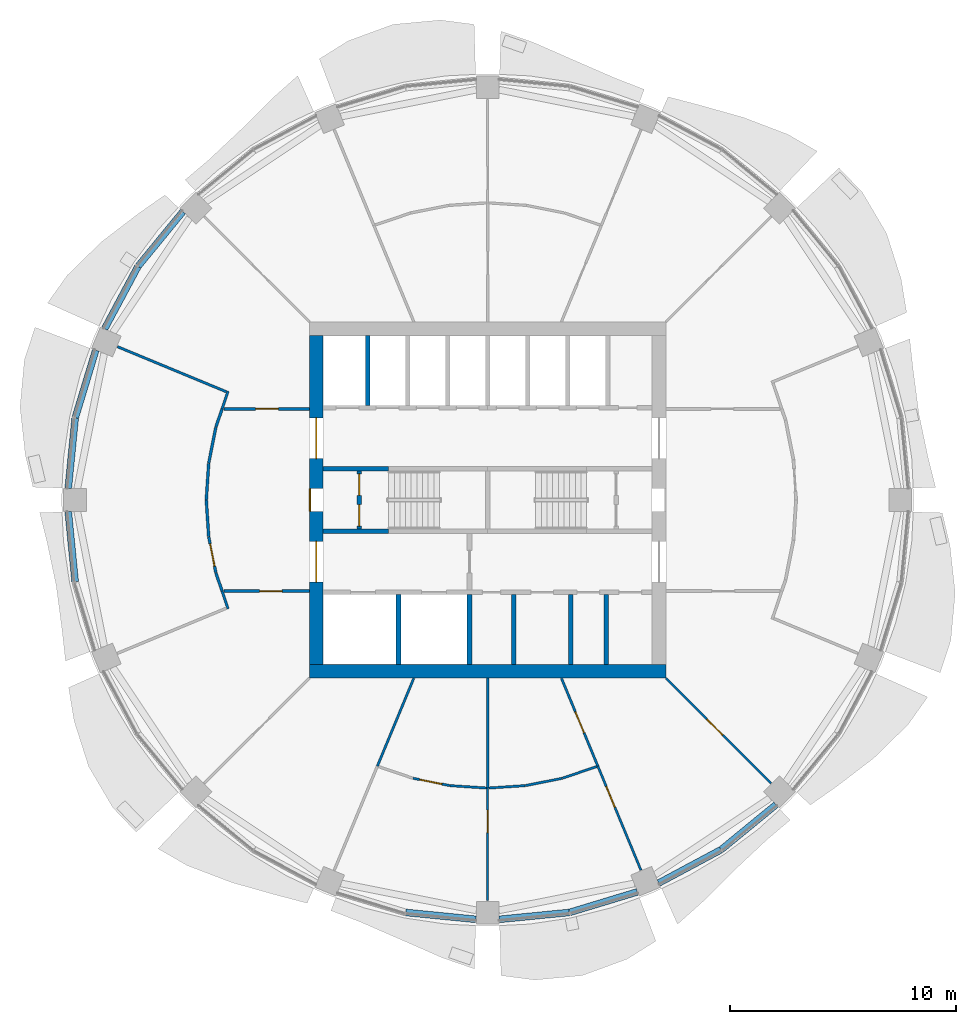
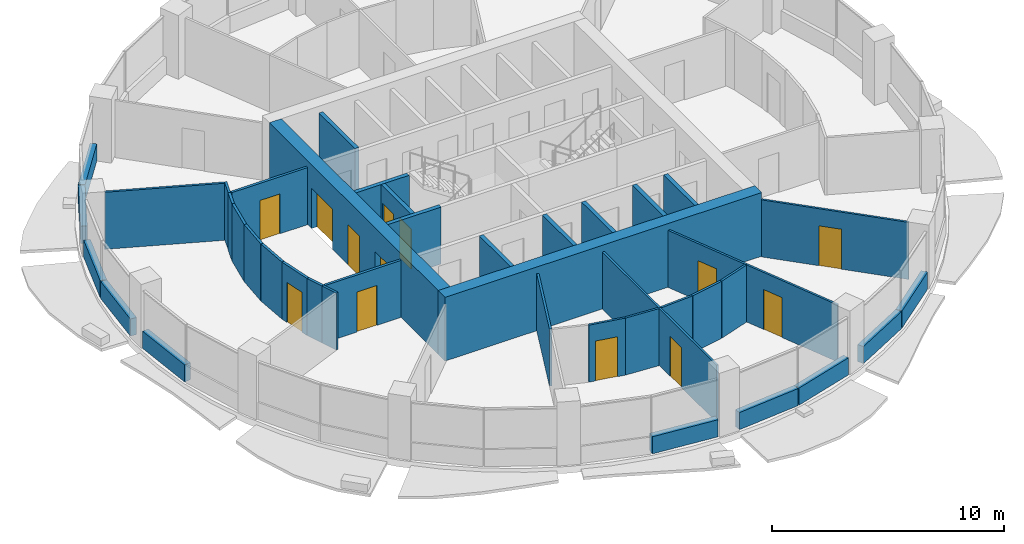
# One storey, part 8 of 15: 43 walls, 13 doors, 13 openings.
"""IFC4 building model written with IfcOpenShell, lengths in metres."""

from ifc_helpers import new_model, si_unit, direction, frame, frame_2d, origin, place, context, subcontext, project, spatial, rectangle, extrude, material, layer, layer_set, type_object, element, fill, save


model = new_model("IFC4")

# Units and contexts
model_context = context("Model", 3, precision=1e-05, world=origin(), true_north=direction((0.0, 1.0)))
body_context = subcontext(model_context, "Body", "Model", "MODEL_VIEW")
ifc_project = project(units=[si_unit("LENGTHUNIT", "METRE"), si_unit("AREAUNIT", "SQUARE_METRE"), si_unit("VOLUMEUNIT", "CUBIC_METRE"), si_unit("PLANEANGLEUNIT", "RADIAN"), si_unit("MASSUNIT", "GRAM", prefix="KILO")], contexts=[model_context])

# Site, building, storey
site_placement = place(None, origin())
site = spatial("IfcSite", under=ifc_project, at=site_placement, CompositionType="ELEMENT")
building_placement = place(site_placement, origin())
building = spatial("IfcBuilding", under=site, at=building_placement, Name="Polderwave Tower", CompositionType="ELEMENT")
storey_placement = place(building_placement, frame((0.0, 0.0, 154.449951171875)))
storey = spatial("IfcBuildingStorey", under=building, at=storey_placement, Name="L41", CompositionType="ELEMENT", Elevation=154.449951171875)

# Wall
ifc_material_1 = material(Name="Concrete C60/75", Category="concrete")
ifc_layer_1 = layer(ifc_material_1, 0.60009765625)
ifc_layer_set_1 = layer_set([ifc_layer_1], Name="CORE WALL 600 C60/75")
wall_type_1 = type_object("IfcWallType", Name="CORE WALL 600 C60/75", PredefinedType="SHEAR", material=ifc_layer_set_1)
wall_1_placement = place(storey_placement, frame((-7.8740234375, -7.573974609375, 0.0), z_axis=(0.0, 0.0, 1.0), x_axis=(1.0, 0.0, 0.0)))
element("IfcWall", 1, at=wall_1_placement, inside=storey, type_object=wall_type_1, Name="ST-CORE-L41-S", PredefinedType="SHEAR", context=body_context, shape_type="SweptSolid", body=[
    extrude(rectangle(XDim=15.748046875, YDim=0.60009765625, at=frame_2d((7.8740234375, 0.0))), origin(), (0.0, 0.0, 1.0), 3.35009765625),
])

# Wall, openings, doors
wall_2_placement = place(storey_placement, frame((-7.573974609375, -7.27392578125, 0.0), z_axis=(0.0, 0.0, 1.0), x_axis=(0.0, 1.0, 0.0)))
wall_2 = element("IfcWall", 2, at=wall_2_placement, inside=storey, type_object=wall_type_1, Name="ST-CORE-L41-W", PredefinedType="SHEAR", context=body_context, shape_type="SweptSolid", body=[
    extrude(rectangle(XDim=14.5478515625, YDim=0.60009765625, at=frame_2d((7.27392578125, 0.0))), origin(), (0.0, 0.0, 1.0), 3.35009765625),
])
opening_1_placement = place(wall_2_placement, frame((6.77392578125, 0.0, 0.0)))
opening_1 = element("IfcOpeningElement", 3, at=opening_1_placement, cuts=wall_2, Name="Opening L41-D20", PredefinedType="OPENING", context=body_context, shape_type="SweptSolid", body=[
    extrude(rectangle(XDim=1.0, YDim=2.10009765625, at=frame_2d((0.5, 1.050048828125))), frame((0.0, 0.31005859375, 0.0), z_axis=(0.0, -1.0, 0.0), x_axis=(1.0, 0.0, 0.0)), (0.0, 0.0, 1.0), 0.6201171875),
])
opening_2_placement = place(wall_2_placement, frame((3.6494140625, 0.0, 0.0)))
opening_2 = element("IfcOpeningElement", 4, at=opening_2_placement, cuts=wall_2, Name="Opening L41-D21", PredefinedType="OPENING", context=body_context, shape_type="SweptSolid", body=[
    extrude(rectangle(XDim=1.800048828125, YDim=2.10009765625, at=frame_2d((0.89990234375, 1.050048828125))), frame((0.0, 0.31005859375, 0.0), z_axis=(0.0, -1.0, 0.0), x_axis=(1.0, 0.0, 0.0)), (0.0, 0.0, 1.0), 0.6201171875),
])
opening_3_placement = place(wall_2_placement, frame((9.098388671875, 0.0, 0.0)))
opening_3 = element("IfcOpeningElement", 5, at=opening_3_placement, cuts=wall_2, Name="Opening L41-D22", PredefinedType="OPENING", context=body_context, shape_type="SweptSolid", body=[
    extrude(rectangle(XDim=1.800048828125, YDim=2.10009765625, at=frame_2d((0.89990234375, 1.050048828125))), frame((0.0, 0.31005859375, 0.0), z_axis=(0.0, -1.0, 0.0), x_axis=(1.0, 0.0, 0.0)), (0.0, 0.0, 1.0), 0.6201171875),
])
ifc_material_2 = material(Name="Steel fire door", Category="steel")
door_type_1 = type_object("IfcDoorType", Name="Lobby entry door pair 1800", OperationType="DOUBLE_DOOR_SINGLE_SWING", PredefinedType="DOOR", material=ifc_material_2)
door_1_placement = place(opening_2_placement, origin())
door_1 = element("IfcDoor", 6, at=door_1_placement, inside=storey, type_object=door_type_1, Name="Fire-fighting lobby entry door", OperationType="DOUBLE_DOOR_SINGLE_SWING", OverallHeight=2.10009765625, OverallWidth=1.800048828125, PredefinedType="DOOR", context=body_context, shape_type="SweptSolid", body=[
    extrude(rectangle(XDim=1.800048828125, YDim=2.10009765625, at=frame_2d((0.89990234375, 1.050048828125))), frame((0.0, 0.02490234375, 0.0), z_axis=(0.0, -1.0, 0.0), x_axis=(1.0, 0.0, 0.0)), (0.0, 0.0, 1.0), 0.050048828125),
])
fill(opening_2, door_1)
door_2_placement = place(opening_3_placement, origin())
door_2 = element("IfcDoor", 7, at=door_2_placement, inside=storey, type_object=door_type_1, Name="North lobby entry door", OperationType="DOUBLE_DOOR_SINGLE_SWING", OverallHeight=2.10009765625, OverallWidth=1.800048828125, PredefinedType="DOOR", context=body_context, shape_type="SweptSolid", body=[
    extrude(rectangle(XDim=1.800048828125, YDim=2.10009765625, at=frame_2d((0.89990234375, 1.050048828125))), frame((0.0, 0.02490234375, 0.0), z_axis=(0.0, -1.0, 0.0), x_axis=(1.0, 0.0, 0.0)), (0.0, 0.0, 1.0), 0.050048828125),
])
fill(opening_3, door_2)
door_type_2 = type_object("IfcDoorType", Name="Stair door 1000", OperationType="NOTDEFINED", PredefinedType="DOOR", material=ifc_material_2)
door_3_placement = place(opening_1_placement, origin())
door_3 = element("IfcDoor", 8, at=door_3_placement, inside=storey, type_object=door_type_2, Name="Stair A entry door", OperationType="SINGLE_SWING_RIGHT", OverallHeight=2.10009765625, OverallWidth=1.0, PredefinedType="DOOR", context=body_context, shape_type="SweptSolid", body=[
    extrude(rectangle(XDim=1.0, YDim=2.10009765625, at=frame_2d((0.5, 1.050048828125))), frame((0.0, 0.2998046875, 0.0), z_axis=(0.0, -1.0, 0.0), x_axis=(1.0, 0.0, 0.0)), (0.0, 0.0, 1.0), 0.050048828125),
])
fill(opening_1, door_3)

# Walls
ifc_material_3 = material(Name="Concrete C50/60 (board-marked)", Category="concrete")
ifc_layer_2 = layer(ifc_material_3, 0.300048828125)
ifc_layer_set_2 = layer_set([ifc_layer_2], Name="Concrete spandrel upstand C50/60")
wall_type_2 = type_object("IfcWallType", Name="Concrete spandrel upstand C50/60", PredefinedType="SOLIDWALL", material=ifc_layer_set_2)
wall_3_placement = place(storey_placement, frame((-13.465576171875, 12.739501953125, 0.0), z_axis=(0.0, 0.0, 1.0), x_axis=(-0.634074896441, -0.773271637721, 0.0)))
element("IfcWall", 9, at=wall_3_placement, inside=storey, type_object=wall_type_2, Name="Spandrel L41 7a", PredefinedType="SOLIDWALL", context=body_context, shape_type="SweptSolid", body=[
    extrude(rectangle(XDim=3.111572265625, YDim=0.300048828125, at=frame_2d((1.5556640625, 0.0))), origin(), (0.0, 0.0, 1.0), 0.900146484375),
])
wall_4_placement = place(storey_placement, frame((-15.455078125, 10.308837890625, 0.0), z_axis=(0.0, 0.0, 1.0), x_axis=(-0.471467771589, -0.881883291798, 0.0)))
element("IfcWall", 10, at=wall_4_placement, inside=storey, type_object=wall_type_2, Name="Spandrel L41 7b", PredefinedType="SOLIDWALL", context=body_context, shape_type="SweptSolid", body=[
    extrude(rectangle(XDim=3.111083984375, YDim=0.300048828125, at=frame_2d((1.5556640625, 0.0))), origin(), (0.0, 0.0, 1.0), 0.900146484375),
])
wall_5_placement = place(storey_placement, frame((-17.3154296875, 6.61669921875, 0.0), z_axis=(0.0, 0.0, 1.0), x_axis=(-0.29026219948, -0.956947154002, 0.0)))
element("IfcWall", 11, at=wall_5_placement, inside=storey, type_object=wall_type_2, Name="Spandrel L41 8a", PredefinedType="SOLIDWALL", context=body_context, shape_type="SweptSolid", body=[
    extrude(rectangle(XDim=3.111328125, YDim=0.300048828125, at=frame_2d((1.5556640625, 0.0))), origin(), (0.0, 0.0, 1.0), 0.900146484375),
])
for number, where, z_axis, x_axis, name in (
    (12, (-18.224609375, 3.610107421875, 0.0), (0.0, 0.0, 1.0), (-0.098011857239, -0.995185246997, 0.0), "Spandrel L41 8b"),
    (13, (-18.529541015625, -0.513916015625, 0.0), (0.0, 0.0, 1.0), (0.098011857239, -0.995185246997, 0.0), "Spandrel L41 9a"),
    (14, (-3.610107421875, -18.224609375, 0.0), (0.0, 0.0, 1.0), (0.995185246997, -0.098011857239, 0.0), "Spandrel L41 12b"),
    (15, (0.513916015625, -18.529541015625, 0.0), (0.0, 0.0, 1.0), (0.995185246997, 0.098011857239, 0.0), "Spandrel L41 13a"),
):
    element("IfcWall", number, at=place(storey_placement, frame(where, z_axis=z_axis, x_axis=x_axis)), inside=storey, type_object=wall_type_2, Name=name, PredefinedType="SOLIDWALL", context=body_context, shape_type="SweptSolid", body=[
        extrude(rectangle(XDim=3.111083984375, YDim=0.300048828125, at=frame_2d((1.5556640625, 0.0))), origin(), (0.0, 0.0, 1.0), 0.900146484375),
    ])
wall_6_placement = place(storey_placement, frame((3.639404296875, -18.218505859375, 0.0), z_axis=(0.0, 0.0, 1.0), x_axis=(0.956947154002, 0.29026219948, 0.0)))
element("IfcWall", 16, at=wall_6_placement, inside=storey, type_object=wall_type_2, Name="Spandrel L41 13b", PredefinedType="SOLIDWALL", context=body_context, shape_type="SweptSolid", body=[
    extrude(rectangle(XDim=3.111328125, YDim=0.300048828125, at=frame_2d((1.5556640625, 0.0))), origin(), (0.0, 0.0, 1.0), 0.900146484375),
])
wall_7_placement = place(storey_placement, frame((7.565185546875, -16.921875, 0.0), z_axis=(0.0, 0.0, 1.0), x_axis=(0.881883291798, 0.471467771589, 0.0)))
element("IfcWall", 17, at=wall_7_placement, inside=storey, type_object=wall_type_2, Name="Spandrel L41 14a", PredefinedType="SOLIDWALL", context=body_context, shape_type="SweptSolid", body=[
    extrude(rectangle(XDim=3.111083984375, YDim=0.300048828125, at=frame_2d((1.5556640625, 0.0))), origin(), (0.0, 0.0, 1.0), 0.900146484375),
])
wall_8_placement = place(storey_placement, frame((10.33349609375, -15.4384765625, 0.0), z_axis=(0.0, 0.0, 1.0), x_axis=(0.773271637721, 0.634074896441, 0.0)))
element("IfcWall", 18, at=wall_8_placement, inside=storey, type_object=wall_type_2, Name="Spandrel L41 14b", PredefinedType="SOLIDWALL", context=body_context, shape_type="SweptSolid", body=[
    extrude(rectangle(XDim=3.111572265625, YDim=0.300048828125, at=frame_2d((1.5556640625, 0.0))), origin(), (0.0, 0.0, 1.0), 0.900146484375),
])
ifc_material_4 = material(Name="Gypsum board partition")
ifc_layer_3 = layer(ifc_material_4, 0.199951171875)
ifc_layer_set_3 = layer_set([ifc_layer_3], Name="Core room partition 200")
wall_type_3 = type_object("IfcWallType", Name="Core room partition 200", PredefinedType="PARTITIONING", material=ifc_layer_set_3)
for number, where, z_axis, x_axis, name in (
    (19, (1.146484375, -7.27392578125, 0.0), (0.0, 0.0, 1.0), (0.0, 1.0, 0.0), "L41 room partition S1"),
    (20, (3.675048828125, -7.27392578125, 0.0), (0.0, 0.0, 1.0), (0.0, 1.0, 0.0), "L41 room partition S2"),
    (21, (5.2333984375, -7.27392578125, 0.0), (0.0, 0.0, 1.0), (0.0, 1.0, 0.0), "L41 room partition S3"),
):
    element("IfcWall", number, at=place(storey_placement, frame(where, z_axis=z_axis, x_axis=x_axis)), inside=storey, type_object=wall_type_3, Name=name, PredefinedType="PARTITIONING", context=body_context, shape_type="SweptSolid", body=[
        extrude(rectangle(XDim=3.099853515625, YDim=0.199951171875, at=frame_2d((1.5498046875, 0.0))), origin(), (0.0, 0.0, 1.0), 3.0),
    ])

# Wall, openings, doors
wall_9_placement = place(storey_placement, frame((-5.674072265625, -1.27490234375, 0.0), z_axis=(0.0, 0.0, 1.0), x_axis=(0.0, 1.0, 0.0)))
wall_9 = element("IfcWall", 22, at=wall_9_placement, inside=storey, type_object=wall_type_3, Name="L41 smoke lobby wall A", PredefinedType="PARTITIONING", context=body_context, shape_type="SweptSolid", body=[
    extrude(rectangle(XDim=2.5498046875, YDim=0.199951171875, at=frame_2d((1.27490234375, 0.0))), origin(), (0.0, 0.0, 1.0), 3.0),
])
opening_4_placement = place(wall_9_placement, frame((0.125, 0.0, 0.0)))
opening_4 = element("IfcOpeningElement", 23, at=opening_4_placement, cuts=wall_9, Name="Opening L41-D10", PredefinedType="OPENING", context=body_context, shape_type="SweptSolid", body=[
    extrude(rectangle(XDim=0.949951171875, YDim=2.10009765625, at=frame_2d((0.47509765625, 1.050048828125))), frame((0.0, 0.10986328125, 0.0), z_axis=(0.0, -1.0, 0.0), x_axis=(1.0, 0.0, 0.0)), (0.0, 0.0, 1.0), 0.219970703125),
])
opening_5_placement = place(wall_9_placement, frame((1.47509765625, 0.0, 0.0)))
opening_5 = element("IfcOpeningElement", 24, at=opening_5_placement, cuts=wall_9, Name="Opening L41-D11", PredefinedType="OPENING", context=body_context, shape_type="SweptSolid", body=[
    extrude(rectangle(XDim=0.949951171875, YDim=2.10009765625, at=frame_2d((0.47509765625, 1.050048828125))), frame((0.0, 0.10986328125, 0.0), z_axis=(0.0, -1.0, 0.0), x_axis=(1.0, 0.0, 0.0)), (0.0, 0.0, 1.0), 0.219970703125),
])
door_type_3 = type_object("IfcDoorType", Name="Smoke lobby door 950", OperationType="NOTDEFINED", PredefinedType="DOOR", material=ifc_material_2)
door_4_placement = place(opening_4_placement, origin())
door_4 = element("IfcDoor", 25, at=door_4_placement, inside=storey, type_object=door_type_3, Name="Stair A smoke lobby inner door", OperationType="SINGLE_SWING_LEFT", OverallHeight=2.10009765625, OverallWidth=0.949951171875, PredefinedType="DOOR", context=body_context, shape_type="SweptSolid", body=[
    extrude(rectangle(XDim=0.949951171875, YDim=2.10009765625, at=frame_2d((0.47509765625, 1.050048828125))), frame((0.0, 0.02490234375, 0.0), z_axis=(0.0, -1.0, 0.0), x_axis=(1.0, 0.0, 0.0)), (0.0, 0.0, 1.0), 0.050048828125),
])
fill(opening_4, door_4)
door_5_placement = place(opening_5_placement, origin())
door_5 = element("IfcDoor", 26, at=door_5_placement, inside=storey, type_object=door_type_3, Name="Stair A smoke lobby inner door", OperationType="SINGLE_SWING_RIGHT", OverallHeight=2.10009765625, OverallWidth=0.949951171875, PredefinedType="DOOR", context=body_context, shape_type="SweptSolid", body=[
    extrude(rectangle(XDim=0.949951171875, YDim=2.10009765625, at=frame_2d((0.47509765625, 1.050048828125))), frame((0.0, 0.02490234375, 0.0), z_axis=(0.0, -1.0, 0.0), x_axis=(1.0, 0.0, 0.0)), (0.0, 0.0, 1.0), 0.050048828125),
])
fill(opening_5, door_5)

# Walls
ifc_material_5 = material(Name="Concrete C50/60", Category="concrete")
ifc_layer_4 = layer(ifc_material_5, 0.199951171875)
ifc_layer_set_4 = layer_set([ifc_layer_4], Name="Core web wall 200")
wall_type_4 = type_object("IfcWallType", Name="Core web wall 200", PredefinedType="SHEAR", material=ifc_layer_set_4)
for number, where, z_axis, x_axis, name in (
    (27, (-7.27392578125, -1.375, 0.0), (0.0, 0.0, 1.0), (1.0, 0.0, 0.0), "L41 south stair wall 1"),
    (28, (-7.27392578125, 1.375, 0.0), (0.0, 0.0, 1.0), (1.0, 0.0, 0.0), "L41 north stair wall 1"),
):
    element("IfcWall", number, at=place(storey_placement, frame(where, z_axis=z_axis, x_axis=x_axis)), inside=storey, type_object=wall_type_4, Name=name, PredefinedType="SHEAR", context=body_context, shape_type="SweptSolid", body=[
        extrude(rectangle(XDim=2.89990234375, YDim=0.199951171875, at=frame_2d((1.449951171875, 0.0))), origin(), (0.0, 0.0, 1.0), 3.0),
    ])

# Wall, opening, door
ifc_material_6 = material(Name="Fire-resisting board on steel studs", Category="steel")
ifc_layer_5 = layer(ifc_material_6, 0.125)
ifc_layer_set_5 = layer_set([ifc_layer_5], Name="Corridor wall 125 mm EI 60")
wall_type_5 = type_object("IfcWallType", Name="Corridor wall 125 mm EI 60", PredefinedType="PARTITIONING", material=ifc_layer_set_5)
wall_10_placement = place(storey_placement, frame((-11.645263671875, 4.0244140625, 0.0), z_axis=(0.0, 0.0, 1.0), x_axis=(1.0, 0.0, 0.0)))
wall_10 = element("IfcWall", 29, at=wall_10_placement, inside=storey, type_object=wall_type_5, Name="IN-L41-W009", PredefinedType="PARTITIONING", context=body_context, shape_type="SweptSolid", body=[
    extrude(rectangle(XDim=3.771240234375, YDim=0.125, at=frame_2d((1.8857421875, 0.0))), origin(), (0.0, 0.0, 1.0), 3.0),
])
opening_6_placement = place(wall_10_placement, frame((1.39990234375, 0.0, 0.0)))
opening_6 = element("IfcOpeningElement", 30, at=opening_6_placement, cuts=wall_10, Name="Opening L41-D53", PredefinedType="OPENING", context=body_context, shape_type="SweptSolid", body=[
    extrude(rectangle(XDim=1.0, YDim=2.10009765625, at=frame_2d((0.5, 1.050048828125))), frame((0.0, 0.072509765625, 0.0), z_axis=(0.0, -1.0, 0.0), x_axis=(1.0, 0.0, 0.0)), (0.0, 0.0, 1.0), 0.14501953125),
])
ifc_material_7 = material(Name="Timber fire door leaf", Category="wood")
door_type_4 = type_object("IfcDoorType", Name="Fire door FD30S 1000 x 2100", OperationType="NOTDEFINED", PredefinedType="DOOR", material=ifc_material_7)
door_6_placement = place(opening_6_placement, origin())
door_6 = element("IfcDoor", 31, at=door_6_placement, inside=storey, type_object=door_type_4, Name="Door L41-D53", OperationType="SINGLE_SWING_RIGHT", OverallHeight=2.10009765625, OverallWidth=1.0, PredefinedType="DOOR", context=body_context, shape_type="SweptSolid", body=[
    extrude(rectangle(XDim=1.0, YDim=2.10009765625, at=frame_2d((0.5, 1.050048828125))), frame((0.0, 0.02490234375, 0.0), z_axis=(0.0, -1.0, 0.0), x_axis=(1.0, 0.0, 0.0)), (0.0, 0.0, 1.0), 0.050048828125),
])
fill(opening_6, door_6)

# Walls
for number, where, z_axis, x_axis, name in (
    (32, (-12.4296875, 0.004150390625, 0.0), (0.0, 0.0, 1.0), (0.065347021391, 0.997862599157, 0.0), "IN-L41-W010"),
    (33, (-12.323974609375, -1.618408203125, 0.0), (0.0, 0.0, 1.0), (-0.065347021391, 0.997862599157, 0.0), "IN-L41-W011"),
    (34, (-12.322998046875, 1.62646484375, 0.0), (0.0, 0.0, 1.0), (0.195129303098, 0.980777525779, 0.0), "IN-L41-W012"),
):
    element("IfcWall", number, at=place(storey_placement, frame(where, z_axis=z_axis, x_axis=x_axis)), inside=storey, type_object=wall_type_5, Name=name, PredefinedType="PARTITIONING", context=body_context, shape_type="SweptSolid", body=[
        extrude(rectangle(XDim=1.61767578125, YDim=0.125, at=frame_2d((0.808837890625, 0.0))), origin(), (0.0, 0.0, 1.0), 3.0),
    ])

# Wall, opening, door
wall_11_placement = place(storey_placement, frame((-12.00732421875, -3.213134765625, 0.0), z_axis=(0.0, 0.0, 1.0), x_axis=(-0.195129303098, 0.980777525779, 0.0)))
wall_11 = element("IfcWall", 35, at=wall_11_placement, inside=storey, type_object=wall_type_5, Name="IN-L41-W013", PredefinedType="PARTITIONING", context=body_context, shape_type="SweptSolid", body=[
    extrude(rectangle(XDim=1.61767578125, YDim=0.125, at=frame_2d((0.808837890625, 0.0))), origin(), (0.0, 0.0, 1.0), 3.0),
])
opening_7_placement = place(wall_11_placement, frame((0.300048828125, 0.0, 0.0)))
opening_7 = element("IfcOpeningElement", 36, at=opening_7_placement, cuts=wall_11, Name="Opening L41-D54", PredefinedType="OPENING", context=body_context, shape_type="SweptSolid", body=[
    extrude(rectangle(XDim=1.0, YDim=2.10009765625, at=frame_2d((0.5, 1.050048828125))), frame((0.0, 0.072509765625, 0.0), z_axis=(0.0, -1.0, 0.0), x_axis=(1.0, 0.0, 0.0)), (0.0, 0.0, 1.0), 0.14501953125),
])
door_7_placement = place(opening_7_placement, origin())
door_7 = element("IfcDoor", 37, at=door_7_placement, inside=storey, type_object=door_type_4, Name="Door L41-D54", OperationType="SINGLE_SWING_LEFT", OverallHeight=2.10009765625, OverallWidth=1.0, PredefinedType="DOOR", context=body_context, shape_type="SweptSolid", body=[
    extrude(rectangle(XDim=1.0, YDim=2.10009765625, at=frame_2d((0.5, 1.050048828125))), frame((0.0, 0.02490234375, 0.0), z_axis=(0.0, -1.0, 0.0), x_axis=(1.0, 0.0, 0.0)), (0.0, 0.0, 1.0), 0.050048828125),
])
fill(opening_7, door_7)

# Walls
for number, where, z_axis, x_axis, name in (
    (38, (-12.005126953125, 3.220947265625, 0.0), (0.0, 0.0, 1.0), (0.321402320822, 0.946942737535, 0.0), "IN-L41-W014"),
    (39, (-11.732421875, -4.0244140625, 0.0), (0.0, 0.0, 1.0), (-0.321402320822, 0.946942737535, 0.0), "IN-L41-W015"),
):
    element("IfcWall", number, at=place(storey_placement, frame(where, z_axis=z_axis, x_axis=x_axis)), inside=storey, type_object=wall_type_5, Name=name, PredefinedType="PARTITIONING", context=body_context, shape_type="SweptSolid", body=[
        extrude(rectangle(XDim=0.848388671875, YDim=0.125, at=frame_2d((0.42431640625, 0.0))), origin(), (0.0, 0.0, 1.0), 3.0),
    ])

# Wall, opening, door
wall_12_placement = place(storey_placement, frame((-7.8740234375, -4.0244140625, 0.0), z_axis=(0.0, 0.0, 1.0), x_axis=(-1.0, 0.0, 0.0)))
wall_12 = element("IfcWall", 40, at=wall_12_placement, inside=storey, type_object=wall_type_5, Name="IN-L41-W016", PredefinedType="PARTITIONING", context=body_context, shape_type="SweptSolid", body=[
    extrude(rectangle(XDim=3.771240234375, YDim=0.125, at=frame_2d((1.8857421875, 0.0))), origin(), (0.0, 0.0, 1.0), 3.0),
])
opening_8_placement = place(wall_12_placement, frame((1.199951171875, 0.0, 0.0)))
opening_8 = element("IfcOpeningElement", 41, at=opening_8_placement, cuts=wall_12, Name="Opening L41-D55", PredefinedType="OPENING", context=body_context, shape_type="SweptSolid", body=[
    extrude(rectangle(XDim=1.0, YDim=2.10009765625, at=frame_2d((0.5, 1.050048828125))), frame((0.0, 0.072509765625, 0.0), z_axis=(0.0, -1.0, 0.0), x_axis=(1.0, 0.0, 0.0)), (0.0, 0.0, 1.0), 0.14501953125),
])
door_8_placement = place(opening_8_placement, origin())
door_8 = element("IfcDoor", 42, at=door_8_placement, inside=storey, type_object=door_type_4, Name="Door L41-D55", OperationType="SINGLE_SWING_LEFT", OverallHeight=2.10009765625, OverallWidth=1.0, PredefinedType="DOOR", context=body_context, shape_type="SweptSolid", body=[
    extrude(rectangle(XDim=1.0, YDim=2.10009765625, at=frame_2d((0.5, 1.050048828125))), frame((0.0, 0.02490234375, 0.0), z_axis=(0.0, -1.0, 0.0), x_axis=(1.0, 0.0, 0.0)), (0.0, 0.0, 1.0), 0.050048828125),
])
fill(opening_8, door_8)

ifc_material_8 = material(Name="Plasterboard on steel studs", Category="steel")
ifc_layer_6 = layer(ifc_material_8, 0.10009765625)
ifc_layer_set_6 = layer_set([ifc_layer_6], Name="Partition 100 mm plasterboard on steel studs")
wall_type_6 = type_object("IfcWallType", Name="Partition 100 mm plasterboard on steel studs", PredefinedType="PARTITIONING", material=ifc_layer_set_6)
wall_13_placement = place(storey_placement, frame((0.0, -17.699951171875, 0.0), z_axis=(0.0, 0.0, 1.0), x_axis=(0.0, 1.0, 0.0)))
wall_13 = element("IfcWall", 43, at=wall_13_placement, inside=storey, type_object=wall_type_6, Name="IN-L41-W046", PredefinedType="PARTITIONING", context=body_context, shape_type="SweptSolid", body=[
    extrude(rectangle(XDim=4.969970703125, YDim=0.10009765625, at=frame_2d((2.48486328125, 0.0))), origin(), (0.0, 0.0, 1.0), 3.0),
])
opening_9_placement = place(wall_13_placement, frame((3.0, 0.0, 0.0)))
opening_9 = element("IfcOpeningElement", 44, at=opening_9_placement, cuts=wall_13, Name="Opening L41-D64", PredefinedType="OPENING", context=body_context, shape_type="SweptSolid", body=[
    extrude(rectangle(XDim=1.0, YDim=2.10009765625, at=frame_2d((0.5, 1.050048828125))), frame((0.0, 0.06005859375, 0.0), z_axis=(0.0, -1.0, 0.0), x_axis=(1.0, 0.0, 0.0)), (0.0, 0.0, 1.0), 0.1201171875),
])
ifc_material_9 = material(Name="Timber veneer door leaf", Category="wood")
door_type_5 = type_object("IfcDoorType", Name="Single door 1000 x 2100", OperationType="NOTDEFINED", PredefinedType="DOOR", material=ifc_material_9)
door_9_placement = place(opening_9_placement, origin())
door_9 = element("IfcDoor", 45, at=door_9_placement, inside=storey, type_object=door_type_5, Name="Door L41-D64", OperationType="SINGLE_SWING_RIGHT", OverallHeight=2.10009765625, OverallWidth=1.0, PredefinedType="DOOR", context=body_context, shape_type="SweptSolid", body=[
    extrude(rectangle(XDim=1.0, YDim=2.10009765625, at=frame_2d((0.5, 1.050048828125))), frame((0.0, 0.02490234375, 0.0), z_axis=(0.0, -1.0, 0.0), x_axis=(1.0, 0.0, 0.0)), (0.0, 0.0, 1.0), 0.050048828125),
])
fill(opening_9, door_9)

wall_14_placement = place(storey_placement, frame((6.7734375, -16.352783203125, 0.0), z_axis=(0.0, 0.0, 1.0), x_axis=(-0.38266126553, 0.923888714003, 0.0)))
wall_14 = element("IfcWall", 46, at=wall_14_placement, inside=storey, type_object=wall_type_6, Name="IN-L41-W051", PredefinedType="PARTITIONING", context=body_context, shape_type="SweptSolid", body=[
    extrude(rectangle(XDim=4.969970703125, YDim=0.10009765625, at=frame_2d((2.48486328125, 0.0))), origin(), (0.0, 0.0, 1.0), 3.0),
])
opening_10_placement = place(wall_14_placement, frame((3.0, 0.0, 0.0)))
opening_10 = element("IfcOpeningElement", 47, at=opening_10_placement, cuts=wall_14, Name="Opening L41-D66", PredefinedType="OPENING", context=body_context, shape_type="SweptSolid", body=[
    extrude(rectangle(XDim=1.0, YDim=2.10009765625, at=frame_2d((0.5, 1.050048828125))), frame((0.0, 0.06005859375, 0.0), z_axis=(0.0, -1.0, 0.0), x_axis=(1.0, 0.0, 0.0)), (0.0, 0.0, 1.0), 0.1201171875),
])
door_10_placement = place(opening_10_placement, origin())
door_10 = element("IfcDoor", 48, at=door_10_placement, inside=storey, type_object=door_type_5, Name="Door L41-D66", OperationType="SINGLE_SWING_RIGHT", OverallHeight=2.10009765625, OverallWidth=1.0, PredefinedType="DOOR", context=body_context, shape_type="SweptSolid", body=[
    extrude(rectangle(XDim=1.0, YDim=2.10009765625, at=frame_2d((0.5, 1.050048828125))), frame((0.0, 0.02490234375, 0.0), z_axis=(0.0, -1.0, 0.0), x_axis=(1.0, 0.0, 0.0)), (0.0, 0.0, 1.0), 0.050048828125),
])
fill(opening_10, door_10)

wall_15_placement = place(storey_placement, frame((12.515869140625, -12.515869140625, 0.0), z_axis=(0.0, 0.0, 1.0), x_axis=(-0.707106781187, 0.707106781187, 0.0)))
wall_15 = element("IfcWall", 49, at=wall_15_placement, inside=storey, type_object=wall_type_6, Name="IN-L41-W052", PredefinedType="PARTITIONING", context=body_context, shape_type="SweptSolid", body=[
    extrude(rectangle(XDim=6.564453125, YDim=0.10009765625, at=frame_2d((3.2822265625, 0.0))), origin(), (0.0, 0.0, 1.0), 3.0),
])
opening_11_placement = place(wall_15_placement, frame((3.0, 0.0, 0.0)))
opening_11 = element("IfcOpeningElement", 50, at=opening_11_placement, cuts=wall_15, Name="Opening L41-D67", PredefinedType="OPENING", context=body_context, shape_type="SweptSolid", body=[
    extrude(rectangle(XDim=1.0, YDim=2.10009765625, at=frame_2d((0.5, 1.050048828125))), frame((0.0, 0.06005859375, 0.0), z_axis=(0.0, -1.0, 0.0), x_axis=(1.0, 0.0, 0.0)), (0.0, 0.0, 1.0), 0.1201171875),
])
door_11_placement = place(opening_11_placement, origin())
door_11 = element("IfcDoor", 51, at=door_11_placement, inside=storey, type_object=door_type_5, Name="Door L41-D67", OperationType="SINGLE_SWING_RIGHT", OverallHeight=2.10009765625, OverallWidth=1.0, PredefinedType="DOOR", context=body_context, shape_type="SweptSolid", body=[
    extrude(rectangle(XDim=1.0, YDim=2.10009765625, at=frame_2d((0.5, 1.050048828125))), frame((0.0, 0.02490234375, 0.0), z_axis=(0.0, -1.0, 0.0), x_axis=(1.0, 0.0, 0.0)), (0.0, 0.0, 1.0), 0.050048828125),
])
fill(opening_11, door_11)

# Wall
ifc_material_10 = material(Name="Moisture-resistant board on steel studs, tiled", Category="steel")
ifc_layer_7 = layer(ifc_material_10, 0.10498046875)
ifc_layer_set_7 = layer_set([ifc_layer_7], Name="Partition 105 mm wet room board and tile")
wall_type_7 = type_object("IfcWallType", Name="Partition 105 mm wet room board and tile", PredefinedType="PARTITIONING", material=ifc_layer_set_7)
wall_16_placement = place(storey_placement, frame((-3.261474609375, -7.8740234375, 0.0), z_axis=(0.0, 0.0, 1.0), x_axis=(-0.38269858238, -0.923873257024, 0.0)))
element("IfcWall", 52, at=wall_16_placement, inside=storey, type_object=wall_type_7, Name="IN-L41-W040", PredefinedType="PARTITIONING", context=body_context, shape_type="SweptSolid", body=[
    extrude(rectangle(XDim=4.207275390625, YDim=0.10498046875, at=frame_2d((2.103515625, 0.0))), origin(), (0.0, 0.0, 1.0), 3.0),
])

# Wall, opening, door
wall_17_placement = place(storey_placement, frame((-3.29150390625, -12.296875, 0.0), z_axis=(0.0, 0.0, 1.0), x_axis=(0.980789623675, -0.195068485645, 0.0)))
wall_17 = element("IfcWall", 53, at=wall_17_placement, inside=storey, type_object=wall_type_7, Name="IN-L41-W043", PredefinedType="PARTITIONING", context=body_context, shape_type="SweptSolid", body=[
    extrude(rectangle(XDim=1.658203125, YDim=0.10498046875, at=frame_2d((0.8291015625, 0.0))), origin(), (0.0, 0.0, 1.0), 3.0),
])
opening_12_placement = place(wall_17_placement, frame((0.300048828125, 0.0, 0.0)))
opening_12 = element("IfcOpeningElement", 54, at=opening_12_placement, cuts=wall_17, Name="Opening L41-D63", PredefinedType="OPENING", context=body_context, shape_type="SweptSolid", body=[
    extrude(rectangle(XDim=1.0, YDim=2.10009765625, at=frame_2d((0.5, 1.050048828125))), frame((0.0, 0.0625, 0.0), z_axis=(0.0, -1.0, 0.0), x_axis=(1.0, 0.0, 0.0)), (0.0, 0.0, 1.0), 0.125),
])
door_12_placement = place(opening_12_placement, origin())
door_12 = element("IfcDoor", 55, at=door_12_placement, inside=storey, type_object=door_type_5, Name="Door L41-D63", OperationType="SINGLE_SWING_LEFT", OverallHeight=2.10009765625, OverallWidth=1.0, PredefinedType="DOOR", context=body_context, shape_type="SweptSolid", body=[
    extrude(rectangle(XDim=1.0, YDim=2.10009765625, at=frame_2d((0.5, 1.050048828125))), frame((0.0, 0.02490234375, 0.0), z_axis=(0.0, -1.0, 0.0), x_axis=(1.0, 0.0, 0.0)), (0.0, 0.0, 1.0), 0.050048828125),
])
fill(opening_12, door_12)

# Walls
wall_18_placement = place(storey_placement, frame((-0.055908203125, -12.726318359375, 0.0), z_axis=(0.0, 0.0, 1.0), x_axis=(-0.997860527919, 0.065378641933, 0.0)))
element("IfcWall", 56, at=wall_18_placement, inside=storey, type_object=wall_type_7, Name="IN-L41-W044", PredefinedType="PARTITIONING", context=body_context, shape_type="SweptSolid", body=[
    extrude(rectangle(XDim=1.605712890625, YDim=0.10498046875, at=frame_2d((0.802734375, 0.0))), origin(), (0.0, 0.0, 1.0), 3.0),
])
wall_19_placement = place(storey_placement, frame((0.0, -7.8740234375, 0.0), z_axis=(0.0, 0.0, 1.0), x_axis=(0.0, -1.0, 0.0)))
element("IfcWall", 57, at=wall_19_placement, inside=storey, type_object=wall_type_7, Name="IN-L41-W045", PredefinedType="PARTITIONING", context=body_context, shape_type="SweptSolid", body=[
    extrude(rectangle(XDim=4.85595703125, YDim=0.10498046875, at=frame_2d((2.427978515625, 0.0))), origin(), (0.0, 0.0, 1.0), 3.0),
])
wall_20_placement = place(storey_placement, frame((1.658203125, -12.621337890625, 0.0), z_axis=(0.0, 0.0, 1.0), x_axis=(-0.997860527919, -0.065378641933, 0.0)))
element("IfcWall", 58, at=wall_20_placement, inside=storey, type_object=wall_type_7, Name="IN-L41-W047", PredefinedType="PARTITIONING", context=body_context, shape_type="SweptSolid", body=[
    extrude(rectangle(XDim=1.605712890625, YDim=0.10498046875, at=frame_2d((0.802734375, 0.0))), origin(), (0.0, 0.0, 1.0), 3.0),
])
wall_21_placement = place(storey_placement, frame((3.29150390625, -12.296875, 0.0), z_axis=(0.0, 0.0, 1.0), x_axis=(-0.980789623675, -0.195068485645, 0.0)))
element("IfcWall", 59, at=wall_21_placement, inside=storey, type_object=wall_type_7, Name="IN-L41-W048", PredefinedType="PARTITIONING", context=body_context, shape_type="SweptSolid", body=[
    extrude(rectangle(XDim=1.658203125, YDim=0.10498046875, at=frame_2d((0.8291015625, 0.0))), origin(), (0.0, 0.0, 1.0), 3.0),
])
wall_22_placement = place(storey_placement, frame((4.818603515625, -11.779052734375, 0.0), z_axis=(0.0, 0.0, 1.0), x_axis=(-0.946935734923, -0.321422951771, 0.0)))
element("IfcWall", 60, at=wall_22_placement, inside=storey, type_object=wall_type_7, Name="IN-L41-W049", PredefinedType="PARTITIONING", context=body_context, shape_type="SweptSolid", body=[
    extrude(rectangle(XDim=1.605712890625, YDim=0.10498046875, at=frame_2d((0.802734375, 0.0))), origin(), (0.0, 0.0, 1.0), 3.0),
])

# Wall, opening, door
wall_23_placement = place(storey_placement, frame((4.87158203125, -11.760986328125, 0.0), z_axis=(0.0, 0.0, 1.0), x_axis=(-0.38269858238, 0.923873257024, 0.0)))
wall_23 = element("IfcWall", 61, at=wall_23_placement, inside=storey, type_object=wall_type_7, Name="IN-L41-W050", PredefinedType="PARTITIONING", context=body_context, shape_type="SweptSolid", body=[
    extrude(rectangle(XDim=4.207275390625, YDim=0.10498046875, at=frame_2d((2.103515625, 0.0))), origin(), (0.0, 0.0, 1.0), 3.0),
])
opening_13_placement = place(wall_23_placement, frame((1.60009765625, 0.0, 0.0)))
opening_13 = element("IfcOpeningElement", 62, at=opening_13_placement, cuts=wall_23, Name="Opening L41-D65", PredefinedType="OPENING", context=body_context, shape_type="SweptSolid", body=[
    extrude(rectangle(XDim=1.0, YDim=2.10009765625, at=frame_2d((0.5, 1.050048828125))), frame((0.0, 0.0625, 0.0), z_axis=(0.0, -1.0, 0.0), x_axis=(1.0, 0.0, 0.0)), (0.0, 0.0, 1.0), 0.125),
])
door_13_placement = place(opening_13_placement, origin())
door_13 = element("IfcDoor", 63, at=door_13_placement, inside=storey, type_object=door_type_5, Name="Door L41-D65", OperationType="SINGLE_SWING_LEFT", OverallHeight=2.10009765625, OverallWidth=1.0, PredefinedType="DOOR", context=body_context, shape_type="SweptSolid", body=[
    extrude(rectangle(XDim=1.0, YDim=2.10009765625, at=frame_2d((0.5, 1.050048828125))), frame((0.0, 0.02490234375, 0.0), z_axis=(0.0, -1.0, 0.0), x_axis=(1.0, 0.0, 0.0)), (0.0, 0.0, 1.0), 0.050048828125),
])
fill(opening_13, door_13)

# Walls
ifc_material_11 = material(Name="Acoustic double plasterboard on steel studs", Category="steel")
ifc_layer_8 = layer(ifc_material_11, 0.110107421875)
ifc_layer_set_8 = layer_set([ifc_layer_8], Name="Partition 110 mm acoustic double board")
wall_type_8 = type_object("IfcWallType", Name="Partition 110 mm acoustic double board", PredefinedType="PARTITIONING", material=ifc_layer_set_8)
wall_24_placement = place(storey_placement, frame((-11.732421875, 4.0244140625, 0.0), z_axis=(0.0, 0.0, 1.0), x_axis=(0.321527585288, 0.946900212218, 0.0)))
element("IfcWall", 64, at=wall_24_placement, inside=storey, type_object=wall_type_8, Name="IN-L41-W035", PredefinedType="PARTITIONING", context=body_context, shape_type="SweptSolid", body=[
    extrude(rectangle(XDim=0.828369140625, YDim=0.110107421875, at=frame_2d((0.4140625, 0.0))), origin(), (0.0, 0.0, 1.0), 3.0),
])
wall_25_placement = place(storey_placement, frame((-11.5380859375, 4.779296875, 0.0), z_axis=(0.0, 0.0, 1.0), x_axis=(-0.923891220199, 0.382655214572, 0.0)))
element("IfcWall", 65, at=wall_25_placement, inside=storey, type_object=wall_type_8, Name="IN-L41-W036", PredefinedType="PARTITIONING", context=body_context, shape_type="SweptSolid", body=[
    extrude(rectangle(XDim=5.21142578125, YDim=0.110107421875, at=frame_2d((2.605712890625, 0.0))), origin(), (0.0, 0.0, 1.0), 3.0),
])
wall_26_placement = place(storey_placement, frame((-11.732421875, -4.0244140625, 0.0), z_axis=(0.0, 0.0, 1.0), x_axis=(0.321527585288, -0.946900212218, 0.0)))
element("IfcWall", 66, at=wall_26_placement, inside=storey, type_object=wall_type_8, Name="IN-L41-W037", PredefinedType="PARTITIONING", context=body_context, shape_type="SweptSolid", body=[
    extrude(rectangle(XDim=0.828369140625, YDim=0.110107421875, at=frame_2d((0.4140625, 0.0))), origin(), (0.0, 0.0, 1.0), 3.0),
])
ifc_material_12 = material(Name="Gypsum shaft wall system")
ifc_layer_9 = layer(ifc_material_12, 0.199951171875)
ifc_layer_set_9 = layer_set([ifc_layer_9], Name="Shaft wall 200")
wall_type_9 = type_object("IfcWallType", Name="Shaft wall 200", PredefinedType="PARTITIONING", material=ifc_layer_set_9)
for number, where, z_axis, x_axis, name in (
    (67, (-3.93701171875, -7.27392578125, 0.0), (0.0, 0.0, 1.0), (0.0, 1.0, 0.0), "L41 fire-fighting shaft wall 1"),
    (68, (-0.800048828125, -7.27392578125, 0.0), (0.0, 0.0, 1.0), (0.0, 1.0, 0.0), "L41 fire-fighting shaft wall 2"),
    (69, (-5.305419921875, 4.174072265625, 0.0), (0.0, 0.0, 1.0), (0.0, 1.0, 0.0), "L41 lift shaft wall N1"),
):
    element("IfcWall", number, at=place(storey_placement, frame(where, z_axis=z_axis, x_axis=x_axis)), inside=storey, type_object=wall_type_9, Name=name, PredefinedType="PARTITIONING", context=body_context, shape_type="SweptSolid", body=[
        extrude(rectangle(XDim=3.099853515625, YDim=0.199951171875, at=frame_2d((1.5498046875, 0.0))), origin(), (0.0, 0.0, 1.0), 3.0),
    ])

save(model, "model.ifc")
